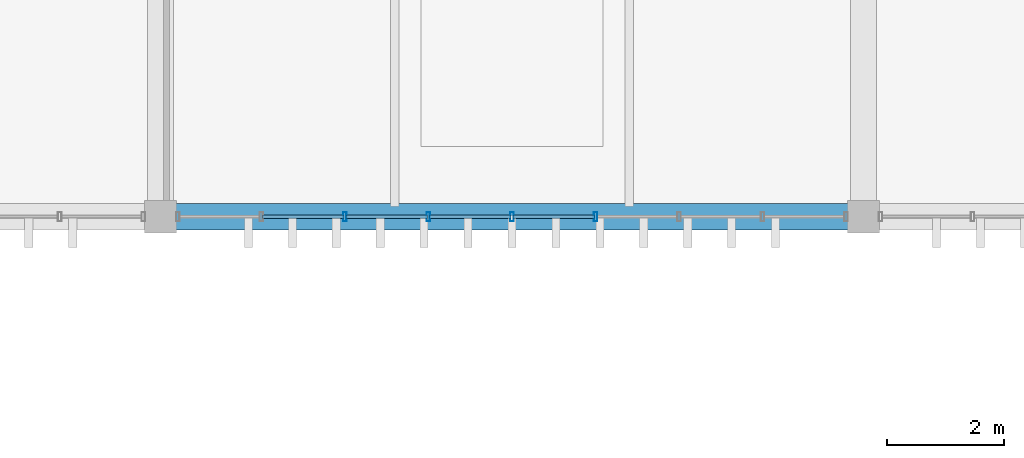
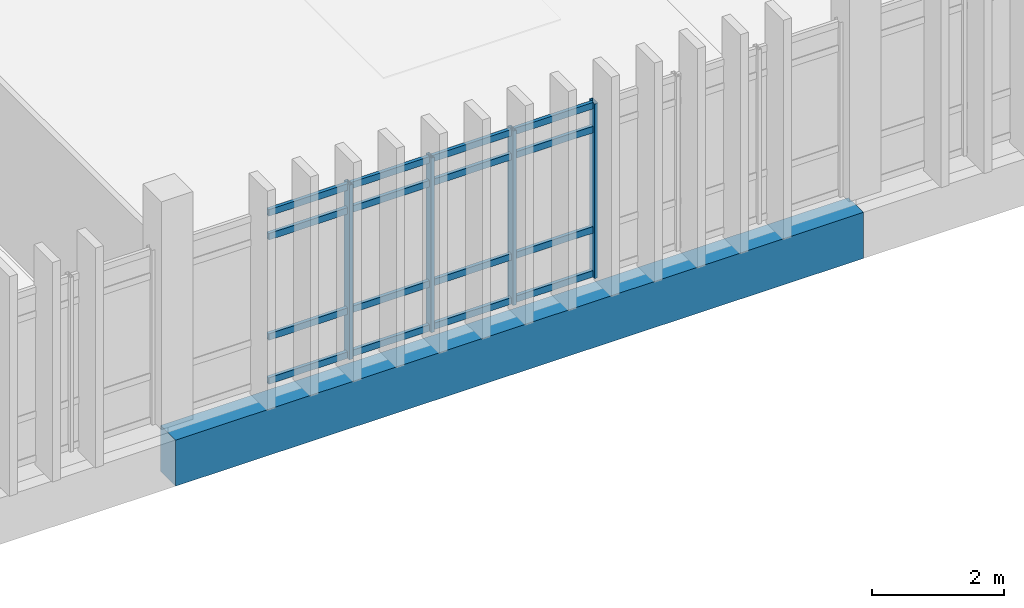
# One storey, part 4 of 29: 20 members, 1 beam, 1 element without a shape of its own.
"""IFC4 building model written with IfcOpenShell, lengths in metres."""

from ifc_helpers import new_model, si_unit, direction, frame, origin, origin_2d, place, context, subcontext, project, spatial, rectangle, hollow_rectangle, extrude, material, layer, layer_set, material_profile, profile_set, type_object, element, aggregate, save


model = new_model("IFC4")

# Units and contexts
model_context = context("Model", 3, precision=1e-05, world=origin(), true_north=direction((0.0, 1.0)))
body_context = subcontext(model_context, "Body", "Model", "MODEL_VIEW")
ifc_project = project(units=[si_unit("LENGTHUNIT", "METRE"), si_unit("AREAUNIT", "SQUARE_METRE"), si_unit("VOLUMEUNIT", "CUBIC_METRE"), si_unit("PLANEANGLEUNIT", "RADIAN"), si_unit("MASSUNIT", "GRAM", prefix="KILO")], contexts=[model_context])

# Site, building, storey
site_placement = place(None, origin())
site = spatial("IfcSite", under=ifc_project, at=site_placement, CompositionType="ELEMENT")
building_placement = place(site_placement, origin())
building = spatial("IfcBuilding", under=site, at=building_placement, Name="Mersad Railyard Sports Hall", CompositionType="ELEMENT")
storey_placement = place(building_placement, frame((0.0, 0.0, 17.39990234375)))
storey = spatial("IfcBuildingStorey", under=building, at=storey_placement, Name="L04", CompositionType="ELEMENT", Elevation=17.39990234375)

# Curtain wall, members
ifc_material_1 = material(Name="Aluminium 6063-T6", Category="aluminium")
ifc_layer = layer(ifc_material_1, 0.159912109375)
ifc_layer_set = layer_set([ifc_layer], Name="Aluminium 6063-T6")
curtain_wall_type = type_object("IfcCurtainWallType", Name="ARC-CW-CW64", PredefinedType="USERDEFINED", material=ifc_layer_set)
curtain_wall_placement = place(storey_placement, origin())
curtain_wall = element("IfcCurtainWall", 1, at=curtain_wall_placement, inside=storey, type_object=curtain_wall_type, Name="Curtain wall CW64-0167", ObjectType="CURTAIN WALL", PredefinedType="USERDEFINED")
ifc_material_profile_1 = material_profile(ifc_material_1, hollow_rectangle(XDim=0.06005859375, YDim=0.159912109375, WallThickness=0.00390625, at=origin_2d()), Name="AL MULLION 60x160x4")
ifc_profile_set_1 = profile_set([ifc_material_profile_1], Name="Aluminium 6063-T6")
member_type_1 = type_object("IfcMemberType", Name="ARC-CW-MUL01", PredefinedType="MULLION", material=ifc_profile_set_1)
member_1_placement = place(storey_placement, frame((86.42626953125, 85.0, -0.02001953125), z_axis=(0.0, 0.0, 1.0), x_axis=(1.0, 0.0, 0.0)))
member_1 = element("IfcMember", 2, at=member_1_placement, type_object=member_type_1, Name="CW64 Mullion 4", PredefinedType="MULLION", context=body_context, shape_type="SweptSolid", body=[
    extrude(hollow_rectangle(XDim=0.06005859375, YDim=0.159912109375, WallThickness=0.00390625, at=origin_2d()), origin(), (0.0, 0.0, 1.0), 3.22021484375),
])
member_2_placement = place(storey_placement, frame((85.0, 85.0, -0.02001953125), z_axis=(0.0, 0.0, 1.0), x_axis=(1.0, 0.0, 0.0)))
member_2 = element("IfcMember", 3, at=member_2_placement, type_object=member_type_1, Name="CW64 Mullion 5", PredefinedType="MULLION", context=body_context, shape_type="SweptSolid", body=[
    extrude(hollow_rectangle(XDim=0.06005859375, YDim=0.159912109375, WallThickness=0.00390625, at=origin_2d()), origin(), (0.0, 0.0, 1.0), 3.22021484375),
])
member_3_placement = place(storey_placement, frame((83.57373046875, 85.0, -0.02001953125), z_axis=(0.0, 0.0, 1.0), x_axis=(1.0, 0.0, 0.0)))
member_3 = element("IfcMember", 4, at=member_3_placement, type_object=member_type_1, Name="CW64 Mullion 6", PredefinedType="MULLION", context=body_context, shape_type="SweptSolid", body=[
    extrude(hollow_rectangle(XDim=0.06005859375, YDim=0.159912109375, WallThickness=0.00390625, at=origin_2d()), origin(), (0.0, 0.0, 1.0), 3.22021484375),
])
member_4_placement = place(storey_placement, frame((82.1474609375, 85.0, -0.02001953125), z_axis=(0.0, 0.0, 1.0), x_axis=(1.0, 0.0, 0.0)))
member_4 = element("IfcMember", 5, at=member_4_placement, type_object=member_type_1, Name="CW64 Mullion 7", PredefinedType="MULLION", context=body_context, shape_type="SweptSolid", body=[
    extrude(hollow_rectangle(XDim=0.06005859375, YDim=0.159912109375, WallThickness=0.00390625, at=origin_2d()), origin(), (0.0, 0.0, 1.0), 3.22021484375),
])
ifc_material_profile_2 = material_profile(ifc_material_1, hollow_rectangle(XDim=0.06005859375, YDim=0.1201171875, WallThickness=0.00390625, at=origin_2d()), Name="AL TRANSOM 60x120x4")
ifc_profile_set_2 = profile_set([ifc_material_profile_2], Name="Aluminium 6063-T6")
member_type_2 = type_object("IfcMemberType", Name="ARC-CW-TRN01", PredefinedType="USERDEFINED", material=ifc_profile_set_2)
member_5_placement = place(storey_placement, frame((86.40625, 85.0, 0.0400390625), z_axis=(-1.0, 0.0, 0.0), x_axis=(0.0, -1.0, 0.0)))
member_5 = element("IfcMember", 6, at=member_5_placement, type_object=member_type_2, Name="CW64 Transom 1-4", ObjectType="TRANSOM", PredefinedType="USERDEFINED", context=body_context, shape_type="SweptSolid", body=[
    extrude(hollow_rectangle(XDim=0.06005859375, YDim=0.1201171875, WallThickness=0.00390625, at=origin_2d()), origin(), (0.0, 0.0, 1.0), 1.38623046875),
])
member_6_placement = place(storey_placement, frame((84.97998046875, 85.0, 0.0400390625), z_axis=(-1.0, 0.0, 0.0), x_axis=(0.0, -1.0, 0.0)))
member_6 = element("IfcMember", 7, at=member_6_placement, type_object=member_type_2, Name="CW64 Transom 1-5", ObjectType="TRANSOM", PredefinedType="USERDEFINED", context=body_context, shape_type="SweptSolid", body=[
    extrude(hollow_rectangle(XDim=0.06005859375, YDim=0.1201171875, WallThickness=0.00390625, at=origin_2d()), origin(), (0.0, 0.0, 1.0), 1.38623046875),
])
member_7_placement = place(storey_placement, frame((83.5537109375, 85.0, 0.0400390625), z_axis=(-1.0, 0.0, 0.0), x_axis=(0.0, -1.0, 0.0)))
member_7 = element("IfcMember", 8, at=member_7_placement, type_object=member_type_2, Name="CW64 Transom 1-6", ObjectType="TRANSOM", PredefinedType="USERDEFINED", context=body_context, shape_type="SweptSolid", body=[
    extrude(hollow_rectangle(XDim=0.06005859375, YDim=0.1201171875, WallThickness=0.00390625, at=origin_2d()), origin(), (0.0, 0.0, 1.0), 1.38623046875),
])
member_8_placement = place(storey_placement, frame((82.12744140625, 85.0, 0.0400390625), z_axis=(-1.0, 0.0, 0.0), x_axis=(0.0, -1.0, 0.0)))
member_8 = element("IfcMember", 9, at=member_8_placement, type_object=member_type_2, Name="CW64 Transom 1-7", ObjectType="TRANSOM", PredefinedType="USERDEFINED", context=body_context, shape_type="SweptSolid", body=[
    extrude(hollow_rectangle(XDim=0.06005859375, YDim=0.1201171875, WallThickness=0.00390625, at=origin_2d()), origin(), (0.0, 0.0, 1.0), 1.38623046875),
])
member_9_placement = place(storey_placement, frame((86.40625, 85.0, 0.85009765625), z_axis=(-1.0, 0.0, 0.0), x_axis=(0.0, -1.0, 0.0)))
member_9 = element("IfcMember", 10, at=member_9_placement, type_object=member_type_2, Name="CW64 Transom 2-4", ObjectType="TRANSOM", PredefinedType="USERDEFINED", context=body_context, shape_type="SweptSolid", body=[
    extrude(hollow_rectangle(XDim=0.06005859375, YDim=0.1201171875, WallThickness=0.00390625, at=origin_2d()), origin(), (0.0, 0.0, 1.0), 1.38623046875),
])
member_10_placement = place(storey_placement, frame((84.97998046875, 85.0, 0.85009765625), z_axis=(-1.0, 0.0, 0.0), x_axis=(0.0, -1.0, 0.0)))
member_10 = element("IfcMember", 11, at=member_10_placement, type_object=member_type_2, Name="CW64 Transom 2-5", ObjectType="TRANSOM", PredefinedType="USERDEFINED", context=body_context, shape_type="SweptSolid", body=[
    extrude(hollow_rectangle(XDim=0.06005859375, YDim=0.1201171875, WallThickness=0.00390625, at=origin_2d()), origin(), (0.0, 0.0, 1.0), 1.38623046875),
])
member_11_placement = place(storey_placement, frame((83.5537109375, 85.0, 0.85009765625), z_axis=(-1.0, 0.0, 0.0), x_axis=(0.0, -1.0, 0.0)))
member_11 = element("IfcMember", 12, at=member_11_placement, type_object=member_type_2, Name="CW64 Transom 2-6", ObjectType="TRANSOM", PredefinedType="USERDEFINED", context=body_context, shape_type="SweptSolid", body=[
    extrude(hollow_rectangle(XDim=0.06005859375, YDim=0.1201171875, WallThickness=0.00390625, at=origin_2d()), origin(), (0.0, 0.0, 1.0), 1.38623046875),
])
member_12_placement = place(storey_placement, frame((82.12744140625, 85.0, 0.85009765625), z_axis=(-1.0, 0.0, 0.0), x_axis=(0.0, -1.0, 0.0)))
member_12 = element("IfcMember", 13, at=member_12_placement, type_object=member_type_2, Name="CW64 Transom 2-7", ObjectType="TRANSOM", PredefinedType="USERDEFINED", context=body_context, shape_type="SweptSolid", body=[
    extrude(hollow_rectangle(XDim=0.06005859375, YDim=0.1201171875, WallThickness=0.00390625, at=origin_2d()), origin(), (0.0, 0.0, 1.0), 1.38623046875),
])
member_13_placement = place(storey_placement, frame((86.40625, 85.0, 2.7001953125), z_axis=(-1.0, 0.0, 0.0), x_axis=(0.0, -1.0, 0.0)))
member_13 = element("IfcMember", 14, at=member_13_placement, type_object=member_type_2, Name="CW64 Transom 3-4", ObjectType="TRANSOM", PredefinedType="USERDEFINED", context=body_context, shape_type="SweptSolid", body=[
    extrude(hollow_rectangle(XDim=0.06005859375, YDim=0.1201171875, WallThickness=0.00390625, at=origin_2d()), origin(), (0.0, 0.0, 1.0), 1.38623046875),
])
member_14_placement = place(storey_placement, frame((84.97998046875, 85.0, 2.7001953125), z_axis=(-1.0, 0.0, 0.0), x_axis=(0.0, -1.0, 0.0)))
member_14 = element("IfcMember", 15, at=member_14_placement, type_object=member_type_2, Name="CW64 Transom 3-5", ObjectType="TRANSOM", PredefinedType="USERDEFINED", context=body_context, shape_type="SweptSolid", body=[
    extrude(hollow_rectangle(XDim=0.06005859375, YDim=0.1201171875, WallThickness=0.00390625, at=origin_2d()), origin(), (0.0, 0.0, 1.0), 1.38623046875),
])
member_15_placement = place(storey_placement, frame((83.5537109375, 85.0, 2.7001953125), z_axis=(-1.0, 0.0, 0.0), x_axis=(0.0, -1.0, 0.0)))
member_15 = element("IfcMember", 16, at=member_15_placement, type_object=member_type_2, Name="CW64 Transom 3-6", ObjectType="TRANSOM", PredefinedType="USERDEFINED", context=body_context, shape_type="SweptSolid", body=[
    extrude(hollow_rectangle(XDim=0.06005859375, YDim=0.1201171875, WallThickness=0.00390625, at=origin_2d()), origin(), (0.0, 0.0, 1.0), 1.38623046875),
])
member_16_placement = place(storey_placement, frame((82.12744140625, 85.0, 2.7001953125), z_axis=(-1.0, 0.0, 0.0), x_axis=(0.0, -1.0, 0.0)))
member_16 = element("IfcMember", 17, at=member_16_placement, type_object=member_type_2, Name="CW64 Transom 3-7", ObjectType="TRANSOM", PredefinedType="USERDEFINED", context=body_context, shape_type="SweptSolid", body=[
    extrude(hollow_rectangle(XDim=0.06005859375, YDim=0.1201171875, WallThickness=0.00390625, at=origin_2d()), origin(), (0.0, 0.0, 1.0), 1.38623046875),
])
member_17_placement = place(storey_placement, frame((86.40625, 85.0, 3.14013671875), z_axis=(-1.0, 0.0, 0.0), x_axis=(0.0, -1.0, 0.0)))
member_17 = element("IfcMember", 18, at=member_17_placement, type_object=member_type_2, Name="CW64 Transom 4-4", ObjectType="TRANSOM", PredefinedType="USERDEFINED", context=body_context, shape_type="SweptSolid", body=[
    extrude(hollow_rectangle(XDim=0.06005859375, YDim=0.1201171875, WallThickness=0.00390625, at=origin_2d()), origin(), (0.0, 0.0, 1.0), 1.38623046875),
])
member_18_placement = place(storey_placement, frame((84.97998046875, 85.0, 3.14013671875), z_axis=(-1.0, 0.0, 0.0), x_axis=(0.0, -1.0, 0.0)))
member_18 = element("IfcMember", 19, at=member_18_placement, type_object=member_type_2, Name="CW64 Transom 4-5", ObjectType="TRANSOM", PredefinedType="USERDEFINED", context=body_context, shape_type="SweptSolid", body=[
    extrude(hollow_rectangle(XDim=0.06005859375, YDim=0.1201171875, WallThickness=0.00390625, at=origin_2d()), origin(), (0.0, 0.0, 1.0), 1.38623046875),
])
member_19_placement = place(storey_placement, frame((83.5537109375, 85.0, 3.14013671875), z_axis=(-1.0, 0.0, 0.0), x_axis=(0.0, -1.0, 0.0)))
member_19 = element("IfcMember", 20, at=member_19_placement, type_object=member_type_2, Name="CW64 Transom 4-6", ObjectType="TRANSOM", PredefinedType="USERDEFINED", context=body_context, shape_type="SweptSolid", body=[
    extrude(hollow_rectangle(XDim=0.06005859375, YDim=0.1201171875, WallThickness=0.00390625, at=origin_2d()), origin(), (0.0, 0.0, 1.0), 1.38623046875),
])
member_20_placement = place(storey_placement, frame((82.12744140625, 85.0, 3.14013671875), z_axis=(-1.0, 0.0, 0.0), x_axis=(0.0, -1.0, 0.0)))
member_20 = element("IfcMember", 21, at=member_20_placement, type_object=member_type_2, Name="CW64 Transom 4-7", ObjectType="TRANSOM", PredefinedType="USERDEFINED", context=body_context, shape_type="SweptSolid", body=[
    extrude(hollow_rectangle(XDim=0.06005859375, YDim=0.1201171875, WallThickness=0.00390625, at=origin_2d()), origin(), (0.0, 0.0, 1.0), 1.38623046875),
])
aggregate(curtain_wall, [member_1, member_2, member_3, member_4, member_5, member_6, member_7, member_8, member_9, member_10, member_11, member_12, member_13, member_14, member_15, member_16, member_17, member_18, member_19, member_20])

# Beam
ifc_material_2 = material(Name="Concrete C40/50", Category="concrete")
ifc_material_profile_3 = material_profile(ifc_material_2, rectangle(XDim=0.449951171875, YDim=0.85009765625, at=origin_2d()), Name="RC 450x850")
ifc_profile_set_3 = profile_set([ifc_material_profile_3], Name="Concrete C40/50")
beam_type = type_object("IfcBeamType", Name="STR-BM-B02", PredefinedType="BEAM", material=ifc_profile_set_3)
beam_placement = place(storey_placement, frame((79.0, 85.0, -0.744873046875), z_axis=(1.0, 0.0, 0.0), x_axis=(0.0, 1.0, 0.0)))
element("IfcBeam", 22, at=beam_placement, inside=storey, type_object=beam_type, Name="Beam B02-1316", PredefinedType="BEAM", context=body_context, shape_type="SweptSolid", body=[
    extrude(rectangle(XDim=0.449951171875, YDim=0.85009765625, at=origin_2d()), origin(), (0.0, 0.0, 1.0), 12.0),
])

save(model, "model.ifc")
